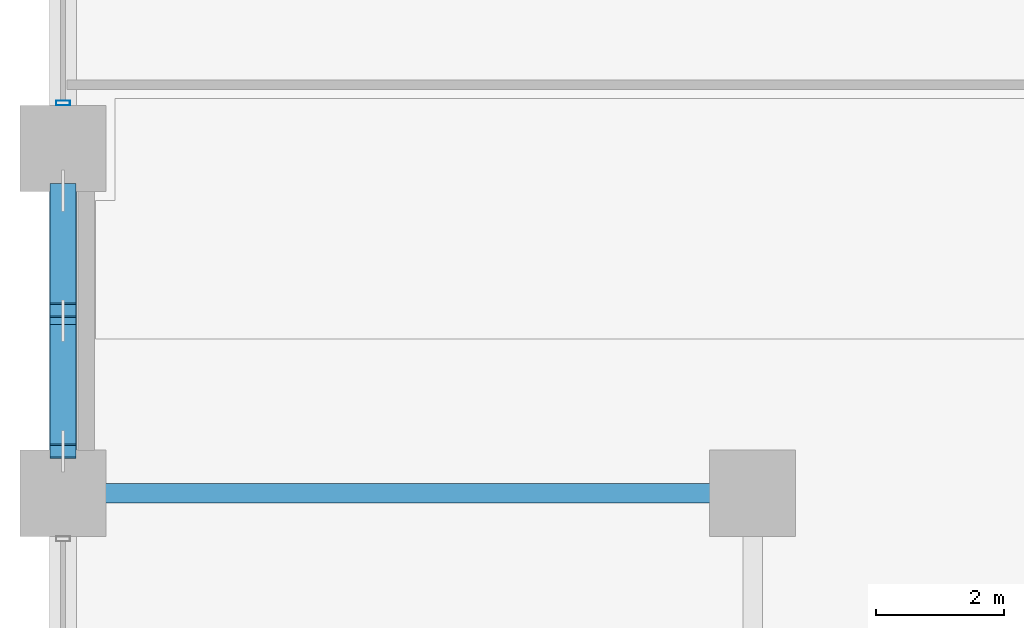
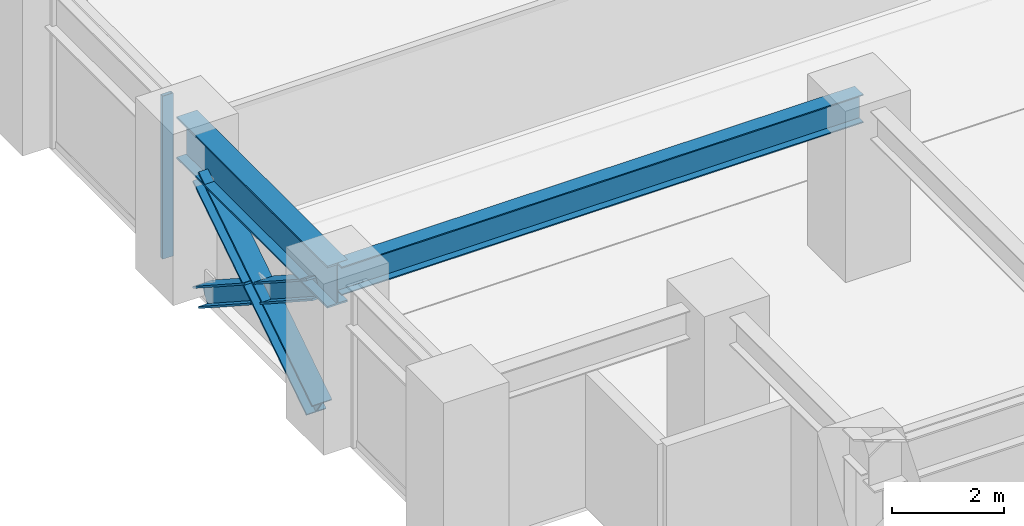
# One storey, part 3 of 25: 4 members, 2 beams, 1 element without a shape of its own.
"""IFC4 building model written with IfcOpenShell, lengths in metres."""

from ifc_helpers import new_model, si_unit, direction, frame, origin, origin_2d, place, context, subcontext, project, spatial, hollow_rectangle, i_section, extrude, material, layer, layer_set, material_profile, profile_set, type_object, element, aggregate, save


model = new_model("IFC4")

# Units and contexts
model_context = context("Model", 3, precision=1e-05, world=origin(), true_north=direction((0.0, 1.0)))
body_context = subcontext(model_context, "Body", "Model", "MODEL_VIEW")
ifc_project = project(units=[si_unit("LENGTHUNIT", "METRE"), si_unit("AREAUNIT", "SQUARE_METRE"), si_unit("VOLUMEUNIT", "CUBIC_METRE"), si_unit("PLANEANGLEUNIT", "RADIAN"), si_unit("MASSUNIT", "GRAM", prefix="KILO")], contexts=[model_context])

# Site, building, storey
site_placement = place(None, origin())
site = spatial("IfcSite", under=ifc_project, at=site_placement, CompositionType="ELEMENT")
building_placement = place(site_placement, origin())
building = spatial("IfcBuilding", under=site, at=building_placement, Name="Surkhivell Harbour Commons", CompositionType="ELEMENT")
storey_placement = place(building_placement, frame((0.0, 0.0, 52.5)))
storey = spatial("IfcBuildingStorey", under=building, at=storey_placement, Name="L13", CompositionType="ELEMENT", Elevation=52.5)

# Beams
ifc_material_1 = material(Name="Steel S355", Category="steel")
ifc_material_profile_1 = material_profile(ifc_material_1, i_section(OverallWidth=0.306884765625, OverallDepth=0.6201171875, WebThickness=0.01416015625, FlangeThickness=0.023681640625, at=origin_2d()), Name="UB610x305x179")
ifc_profile_set_1 = profile_set([ifc_material_profile_1], Name="Steel S355")
beam_type_1 = type_object("IfcBeamType", Name="BM-GRD-610A", PredefinedType="BEAM", material=ifc_profile_set_1)
beam_1_placement = place(storey_placement, frame((-32.39990234375, -16.199951171875, 3.260009765625), z_axis=(1.0, 0.0, 0.0), x_axis=(0.0, 1.0, 0.0)))
element("IfcBeam", 1, at=beam_1_placement, inside=storey, type_object=beam_type_1, Name="L13 Floor Girder (-32.4,-16.2)", PredefinedType="BEAM", context=body_context, shape_type="SweptSolid", body=[
    extrude(i_section(OverallWidth=0.306884765625, OverallDepth=0.6201171875, WebThickness=0.01416015625, FlangeThickness=0.023681640625, at=origin_2d()), origin(), (0.0, 0.0, 1.0), 10.7998046875),
])
ifc_material_2 = material(Name="Steel S460", Category="steel")
ifc_material_profile_2 = material_profile(ifc_material_2, i_section(OverallWidth=0.419921875, OverallDepth=0.9208984375, WebThickness=0.021484375, FlangeThickness=0.03662109375, at=origin_2d()), Name="UB914x419x388")
ifc_profile_set_2 = profile_set([ifc_material_profile_2], Name="Steel S460")
beam_type_2 = type_object("IfcBeamType", Name="BM-SPN-914A", PredefinedType="SPANDREL", material=ifc_profile_set_2)
beam_2_placement = place(storey_placement, frame((-32.39990234375, -16.199951171875, 3.109619140625), z_axis=(0.0, 1.0, 0.0), x_axis=(-1.0, 0.0, 0.0)))
element("IfcBeam", 2, at=beam_2_placement, inside=storey, type_object=beam_type_2, Name="L13 Tube Spandrel (-32.4,-16.2)", PredefinedType="SPANDREL", context=body_context, shape_type="SweptSolid", body=[
    extrude(i_section(OverallWidth=0.419921875, OverallDepth=0.9208984375, WebThickness=0.021484375, FlangeThickness=0.03662109375, at=origin_2d()), origin(), (0.0, 0.0, 1.0), 5.39990234375),
])

# Curtain wall, member
ifc_material_3 = material(Name="Anodised pale-metal aluminium and insulated glazing", Category="aluminium")
ifc_layer = layer(ifc_material_3, 0.219970703125)
ifc_layer_set = layer_set([ifc_layer], Name="Anodised pale-metal aluminium and insulated glazing")
curtain_wall_type = type_object("IfcCurtainWallType", Name="CW-SYS-Z1", PredefinedType="NOTDEFINED", material=ifc_layer_set)
curtain_wall_placement = place(storey_placement, origin())
curtain_wall = element("IfcCurtainWall", 3, at=curtain_wall_placement, inside=storey, type_object=curtain_wall_type, Name="L13 Curtain Wall CW-L13-E12S1", PredefinedType="NOTDEFINED")
ifc_material_4 = material(Name="Anodised pale-metal aluminium alloy 6063-T6", Category="aluminium")
ifc_material_profile_3 = material_profile(ifc_material_4, hollow_rectangle(XDim=0.074951171875, YDim=0.219970703125, WallThickness=0.00390625, at=origin_2d()), Name="ALU-MULL-75x220")
ifc_profile_set_3 = profile_set([ifc_material_profile_3], Name="Anodised pale-metal aluminium alloy 6063-T6")
member_type_1 = type_object("IfcMemberType", Name="CWM-220", PredefinedType="MULLION", material=ifc_profile_set_3)
member_1_placement = place(storey_placement, frame((-32.39990234375, -10.08544921875, 0.0), z_axis=(0.0, 0.0, 1.0), x_axis=(0.0, -1.0, 0.0)))
member_1 = element("IfcMember", 4, at=member_1_placement, type_object=member_type_1, Name="CW-Z1 mullion 7", PredefinedType="MULLION", context=body_context, shape_type="SweptSolid", body=[
    extrude(hollow_rectangle(XDim=0.074951171875, YDim=0.219970703125, WallThickness=0.00390625, at=origin_2d()), origin(), (0.0, 0.0, 1.0), 3.570068359375),
])
aggregate(curtain_wall, [member_1])

# Members
ifc_material_profile_4 = material_profile(ifc_material_2, i_section(OverallWidth=0.406005859375, OverallDepth=0.416015625, WebThickness=0.026611328125, FlangeThickness=0.0390625, at=origin_2d()), Name="HD400x382")
ifc_profile_set_4 = profile_set([ifc_material_profile_4], Name="Steel S460")
member_type_2 = type_object("IfcMemberType", Name="MEM-BRC-HD382", PredefinedType="BRACE", material=ifc_profile_set_4)
member_2_placement = place(storey_placement, frame((-32.39990234375, -15.5400390625, 0.008056640625), z_axis=(0.0, 0.83910375559, 0.543971403067), x_axis=(-1.0, 0.0, 0.0)))
element("IfcMember", 5, at=member_2_placement, inside=storey, type_object=member_type_2, Name="L13 Perimeter Mega-Brace MB- 10", PredefinedType="BRACE", context=body_context, shape_type="SweptSolid", body=[
    extrude(i_section(OverallWidth=0.406005859375, OverallDepth=0.416015625, WebThickness=0.026611328125, FlangeThickness=0.0390625, at=origin_2d()), origin(), (0.0, 0.0, 1.0), 4.8623046875),
])
for number, where, z_axis, x_axis, name in (
    (6, (-32.39990234375, -11.4599609375, 0.008056640625), (0.0, -0.839117847051, 0.54394966565), (1.0, 0.0, 0.0), "L13 Perimeter Mega-Brace MB- 11"),
    (7, (-32.39990234375, -13.66748046875, 1.439208984375), (0.0, -0.839117847051, 0.54394966565), (1.0, 0.0, 0.0), "L13 Perimeter Mega-Brace MB- 12"),
):
    element("IfcMember", number, at=place(storey_placement, frame(where, z_axis=z_axis, x_axis=x_axis)), inside=storey, type_object=member_type_2, Name=name, PredefinedType="BRACE", context=body_context, shape_type="SweptSolid", body=[
        extrude(i_section(OverallWidth=0.406005859375, OverallDepth=0.416015625, WebThickness=0.026611328125, FlangeThickness=0.0390625, at=origin_2d()), origin(), (0.0, 0.0, 1.0), 2.231689453125),
    ])

save(model, "model.ifc")
